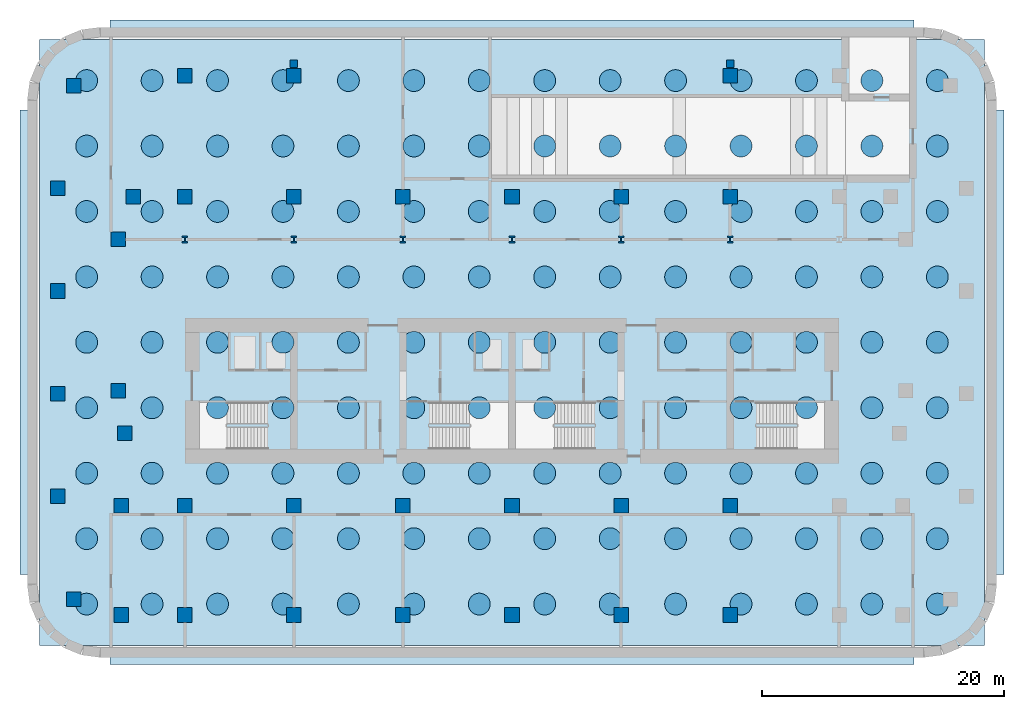
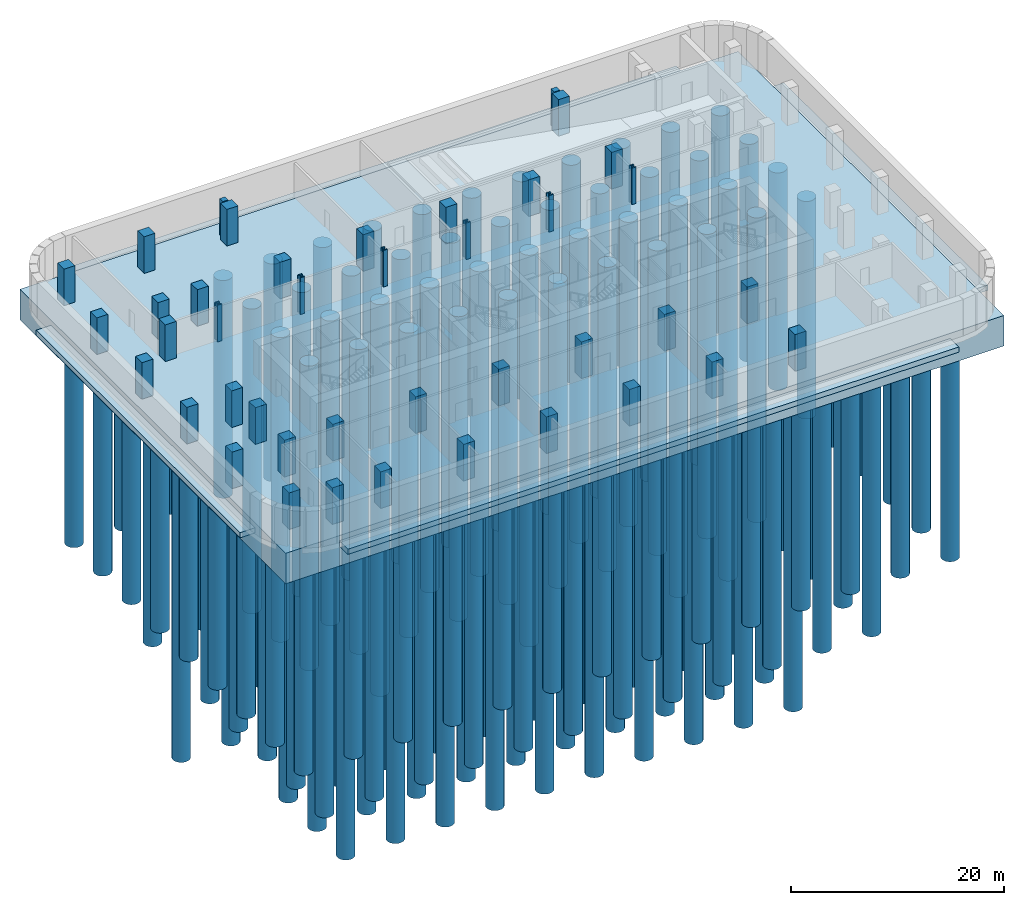
# One storey, part 1 of 8: 126 piles, 41 columns, 5 footings.
"""IFC4 building model written with IfcOpenShell, lengths in metres."""

from ifc_helpers import new_model, si_unit, direction, frame, origin, origin_2d, place, context, subcontext, project, spatial, rectangle, circle, i_section, extrude, material, layer, layer_set, material_profile, profile_set, type_object, element, save


model = new_model("IFC4")

# Units and contexts
model_context = context("Model", 3, precision=1e-05, world=origin(), true_north=direction((0.0, 1.0)))
body_context = subcontext(model_context, "Body", "Model", "MODEL_VIEW")
ifc_project = project(units=[si_unit("LENGTHUNIT", "METRE"), si_unit("AREAUNIT", "SQUARE_METRE"), si_unit("VOLUMEUNIT", "CUBIC_METRE"), si_unit("PLANEANGLEUNIT", "RADIAN"), si_unit("MASSUNIT", "GRAM", prefix="KILO")], contexts=[model_context])

# Site, building, storey
site_placement = place(None, origin())
site = spatial("IfcSite", under=ifc_project, at=site_placement, CompositionType="ELEMENT")
building_placement = place(site_placement, origin())
building = spatial("IfcBuilding", under=site, at=building_placement, Name="Zellij Exchange Tower", CompositionType="ELEMENT")
storey_placement = place(building_placement, frame((0.0, 0.0, -12.60009765625)))
storey = spatial("IfcBuildingStorey", under=building, at=storey_placement, Name="B3", CompositionType="ELEMENT", Elevation=-12.60009765625)

# Piles
ifc_material_1 = material(Name="Concrete C40/50", Category="concrete")
ifc_material_profile_1 = material_profile(ifc_material_1, circle(Radius=0.89990234375, at=origin_2d()), Name="STR-PILE D1800 BORED")
ifc_profile_set_1 = profile_set([ifc_material_profile_1], Name="Concrete C40/50")
pile_type = type_object("IfcPileType", Name="STR-PILE D1800 BORED", PredefinedType="BORED", material=ifc_profile_set_1)
for number, where, z_axis, x_axis, name in (
    (1, (-35.10009765625, -25.60009765625, -3.349853515625), (0.0, 0.0, -1.0), (1.0, 0.0, 0.0), "Pile P001"),
    (2, (-29.699951171875, -25.60009765625, -3.349853515625), (0.0, 0.0, -1.0), (1.0, 0.0, 0.0), "Pile P002"),
    (3, (-24.300048828125, -25.60009765625, -3.349853515625), (0.0, 0.0, -1.0), (1.0, 0.0, 0.0), "Pile P003"),
    (4, (-18.89990234375, -25.60009765625, -3.349853515625), (0.0, 0.0, -1.0), (1.0, 0.0, 0.0), "Pile P004"),
    (5, (-13.5, -25.60009765625, -3.349853515625), (0.0, 0.0, -1.0), (1.0, 0.0, 0.0), "Pile P005"),
    (6, (-8.10009765625, -25.60009765625, -3.349853515625), (0.0, 0.0, -1.0), (1.0, 0.0, 0.0), "Pile P006"),
    (7, (-2.699951171875, -25.60009765625, -3.349853515625), (0.0, 0.0, -1.0), (1.0, 0.0, 0.0), "Pile P007"),
    (8, (2.699951171875, -25.60009765625, -3.349853515625), (0.0, 0.0, -1.0), (1.0, 0.0, 0.0), "Pile P008"),
    (9, (8.10009765625, -25.60009765625, -3.349853515625), (0.0, 0.0, -1.0), (1.0, 0.0, 0.0), "Pile P009"),
    (10, (13.5, -25.60009765625, -3.349853515625), (0.0, 0.0, -1.0), (1.0, 0.0, 0.0), "Pile P010"),
    (11, (18.89990234375, -25.60009765625, -3.349853515625), (0.0, 0.0, -1.0), (1.0, 0.0, 0.0), "Pile P011"),
    (12, (24.300048828125, -25.60009765625, -3.349853515625), (0.0, 0.0, -1.0), (1.0, 0.0, 0.0), "Pile P012"),
    (13, (29.699951171875, -25.60009765625, -3.349853515625), (0.0, 0.0, -1.0), (1.0, 0.0, 0.0), "Pile P013"),
    (14, (35.10009765625, -25.60009765625, -3.349853515625), (0.0, 0.0, -1.0), (1.0, 0.0, 0.0), "Pile P014"),
    (15, (-35.10009765625, -20.199951171875, -3.349853515625), (0.0, 0.0, -1.0), (1.0, 0.0, 0.0), "Pile P015"),
):
    element("IfcPile", number, at=place(storey_placement, frame(where, z_axis=z_axis, x_axis=x_axis)), inside=storey, type_object=pile_type, Name=name, PredefinedType="BORED", context=body_context, shape_type="SweptSolid", body=[
        extrude(circle(Radius=0.89990234375, at=origin_2d()), origin(), (0.0, 0.0, 1.0), 25.0),
    ])
for number, where, z_axis, x_axis, name in (
    (16, (-29.699951171875, -20.199951171875, -3.349853515625), (0.0, 0.0, -1.0), (1.0, 0.0, 0.0), "Pile P016"),
    (17, (-24.300048828125, -20.199951171875, -3.349853515625), (0.0, 0.0, -1.0), (1.0, 0.0, 0.0), "Pile P017"),
    (18, (-18.89990234375, -20.199951171875, -3.349853515625), (0.0, 0.0, -1.0), (1.0, 0.0, 0.0), "Pile P018"),
    (19, (-13.5, -20.199951171875, -3.349853515625), (0.0, 0.0, -1.0), (1.0, 0.0, 0.0), "Pile P019"),
    (20, (-8.10009765625, -20.199951171875, -3.349853515625), (0.0, 0.0, -1.0), (1.0, 0.0, 0.0), "Pile P020"),
    (21, (-2.699951171875, -20.199951171875, -3.349853515625), (0.0, 0.0, -1.0), (1.0, 0.0, 0.0), "Pile P021"),
    (22, (2.699951171875, -20.199951171875, -3.349853515625), (0.0, 0.0, -1.0), (1.0, 0.0, 0.0), "Pile P022"),
    (23, (8.10009765625, -20.199951171875, -3.349853515625), (0.0, 0.0, -1.0), (1.0, 0.0, 0.0), "Pile P023"),
    (24, (13.5, -20.199951171875, -3.349853515625), (0.0, 0.0, -1.0), (1.0, 0.0, 0.0), "Pile P024"),
    (25, (18.89990234375, -20.199951171875, -3.349853515625), (0.0, 0.0, -1.0), (1.0, 0.0, 0.0), "Pile P025"),
    (26, (24.300048828125, -20.199951171875, -3.349853515625), (0.0, 0.0, -1.0), (1.0, 0.0, 0.0), "Pile P026"),
    (27, (29.699951171875, -20.199951171875, -3.349853515625), (0.0, 0.0, -1.0), (1.0, 0.0, 0.0), "Pile P027"),
):
    element("IfcPile", number, at=place(storey_placement, frame(where, z_axis=z_axis, x_axis=x_axis)), inside=storey, type_object=pile_type, Name=name, PredefinedType="BORED", context=body_context, shape_type="SweptSolid", body=[
        extrude(circle(Radius=0.89990234375, at=origin_2d()), origin(), (0.0, 0.0, 1.0), 35.0),
    ])
for number, where, z_axis, x_axis, name in (
    (28, (35.10009765625, -20.199951171875, -3.349853515625), (0.0, 0.0, -1.0), (1.0, 0.0, 0.0), "Pile P028"),
    (29, (-35.10009765625, -14.800048828125, -3.349853515625), (0.0, 0.0, -1.0), (1.0, 0.0, 0.0), "Pile P029"),
):
    element("IfcPile", number, at=place(storey_placement, frame(where, z_axis=z_axis, x_axis=x_axis)), inside=storey, type_object=pile_type, Name=name, PredefinedType="BORED", context=body_context, shape_type="SweptSolid", body=[
        extrude(circle(Radius=0.89990234375, at=origin_2d()), origin(), (0.0, 0.0, 1.0), 25.0),
    ])
pile_1_placement = place(storey_placement, frame((-29.699951171875, -14.800048828125, -3.349853515625), z_axis=(0.0, 0.0, -1.0), x_axis=(1.0, 0.0, 0.0)))
element("IfcPile", 30, at=pile_1_placement, inside=storey, type_object=pile_type, Name="Pile P030", PredefinedType="BORED", context=body_context, shape_type="SweptSolid", body=[
    extrude(circle(Radius=0.89990234375, at=origin_2d()), origin(), (0.0, 0.0, 1.0), 35.0),
])
for number, where, z_axis, x_axis, name in (
    (31, (-24.300048828125, -14.800048828125, -3.349853515625), (0.0, 0.0, -1.0), (1.0, 0.0, 0.0), "Pile P031"),
    (32, (-18.89990234375, -14.800048828125, -3.349853515625), (0.0, 0.0, -1.0), (1.0, 0.0, 0.0), "Pile P032"),
    (33, (-13.5, -14.800048828125, -3.349853515625), (0.0, 0.0, -1.0), (1.0, 0.0, 0.0), "Pile P033"),
    (34, (-8.10009765625, -14.800048828125, -3.349853515625), (0.0, 0.0, -1.0), (1.0, 0.0, 0.0), "Pile P034"),
    (35, (-2.699951171875, -14.800048828125, -3.349853515625), (0.0, 0.0, -1.0), (1.0, 0.0, 0.0), "Pile P035"),
    (36, (2.699951171875, -14.800048828125, -3.349853515625), (0.0, 0.0, -1.0), (1.0, 0.0, 0.0), "Pile P036"),
    (37, (8.10009765625, -14.800048828125, -3.349853515625), (0.0, 0.0, -1.0), (1.0, 0.0, 0.0), "Pile P037"),
    (38, (13.5, -14.800048828125, -3.349853515625), (0.0, 0.0, -1.0), (1.0, 0.0, 0.0), "Pile P038"),
    (39, (18.89990234375, -14.800048828125, -3.349853515625), (0.0, 0.0, -1.0), (1.0, 0.0, 0.0), "Pile P039"),
    (40, (24.300048828125, -14.800048828125, -3.349853515625), (0.0, 0.0, -1.0), (1.0, 0.0, 0.0), "Pile P040"),
):
    element("IfcPile", number, at=place(storey_placement, frame(where, z_axis=z_axis, x_axis=x_axis)), inside=storey, type_object=pile_type, Name=name, PredefinedType="BORED", context=body_context, shape_type="SweptSolid", body=[
        extrude(circle(Radius=0.89990234375, at=origin_2d()), origin(), (0.0, 0.0, 1.0), 45.0),
    ])
pile_2_placement = place(storey_placement, frame((29.699951171875, -14.800048828125, -3.349853515625), z_axis=(0.0, 0.0, -1.0), x_axis=(1.0, 0.0, 0.0)))
element("IfcPile", 41, at=pile_2_placement, inside=storey, type_object=pile_type, Name="Pile P041", PredefinedType="BORED", context=body_context, shape_type="SweptSolid", body=[
    extrude(circle(Radius=0.89990234375, at=origin_2d()), origin(), (0.0, 0.0, 1.0), 35.0),
])
for number, where, z_axis, x_axis, name in (
    (42, (35.10009765625, -14.800048828125, -3.349853515625), (0.0, 0.0, -1.0), (1.0, 0.0, 0.0), "Pile P042"),
    (43, (-35.10009765625, -9.39990234375, -3.349853515625), (0.0, 0.0, -1.0), (1.0, 0.0, 0.0), "Pile P043"),
):
    element("IfcPile", number, at=place(storey_placement, frame(where, z_axis=z_axis, x_axis=x_axis)), inside=storey, type_object=pile_type, Name=name, PredefinedType="BORED", context=body_context, shape_type="SweptSolid", body=[
        extrude(circle(Radius=0.89990234375, at=origin_2d()), origin(), (0.0, 0.0, 1.0), 25.0),
    ])
pile_3_placement = place(storey_placement, frame((-29.699951171875, -9.39990234375, -3.349853515625), z_axis=(0.0, 0.0, -1.0), x_axis=(1.0, 0.0, 0.0)))
element("IfcPile", 44, at=pile_3_placement, inside=storey, type_object=pile_type, Name="Pile P044", PredefinedType="BORED", context=body_context, shape_type="SweptSolid", body=[
    extrude(circle(Radius=0.89990234375, at=origin_2d()), origin(), (0.0, 0.0, 1.0), 35.0),
])
for number, where, z_axis, x_axis, name in (
    (45, (-24.300048828125, -9.39990234375, -3.349853515625), (0.0, 0.0, -1.0), (1.0, 0.0, 0.0), "Pile P045"),
    (46, (-18.89990234375, -9.39990234375, -3.349853515625), (0.0, 0.0, -1.0), (1.0, 0.0, 0.0), "Pile P046"),
    (47, (-13.5, -9.39990234375, -3.349853515625), (0.0, 0.0, -1.0), (1.0, 0.0, 0.0), "Pile P047"),
    (48, (-8.10009765625, -9.39990234375, -3.349853515625), (0.0, 0.0, -1.0), (1.0, 0.0, 0.0), "Pile P048"),
    (49, (-2.699951171875, -9.39990234375, -3.349853515625), (0.0, 0.0, -1.0), (1.0, 0.0, 0.0), "Pile P049"),
    (50, (2.699951171875, -9.39990234375, -3.349853515625), (0.0, 0.0, -1.0), (1.0, 0.0, 0.0), "Pile P050"),
    (51, (8.10009765625, -9.39990234375, -3.349853515625), (0.0, 0.0, -1.0), (1.0, 0.0, 0.0), "Pile P051"),
    (52, (13.5, -9.39990234375, -3.349853515625), (0.0, 0.0, -1.0), (1.0, 0.0, 0.0), "Pile P052"),
    (53, (18.89990234375, -9.39990234375, -3.349853515625), (0.0, 0.0, -1.0), (1.0, 0.0, 0.0), "Pile P053"),
    (54, (24.300048828125, -9.39990234375, -3.349853515625), (0.0, 0.0, -1.0), (1.0, 0.0, 0.0), "Pile P054"),
):
    element("IfcPile", number, at=place(storey_placement, frame(where, z_axis=z_axis, x_axis=x_axis)), inside=storey, type_object=pile_type, Name=name, PredefinedType="BORED", context=body_context, shape_type="SweptSolid", body=[
        extrude(circle(Radius=0.89990234375, at=origin_2d()), origin(), (0.0, 0.0, 1.0), 45.0),
    ])
pile_4_placement = place(storey_placement, frame((29.699951171875, -9.39990234375, -3.349853515625), z_axis=(0.0, 0.0, -1.0), x_axis=(1.0, 0.0, 0.0)))
element("IfcPile", 55, at=pile_4_placement, inside=storey, type_object=pile_type, Name="Pile P055", PredefinedType="BORED", context=body_context, shape_type="SweptSolid", body=[
    extrude(circle(Radius=0.89990234375, at=origin_2d()), origin(), (0.0, 0.0, 1.0), 35.0),
])
for number, where, z_axis, x_axis, name in (
    (56, (35.10009765625, -9.39990234375, -3.349853515625), (0.0, 0.0, -1.0), (1.0, 0.0, 0.0), "Pile P056"),
    (57, (-35.10009765625, -4.0, -3.349853515625), (0.0, 0.0, -1.0), (1.0, 0.0, 0.0), "Pile P057"),
):
    element("IfcPile", number, at=place(storey_placement, frame(where, z_axis=z_axis, x_axis=x_axis)), inside=storey, type_object=pile_type, Name=name, PredefinedType="BORED", context=body_context, shape_type="SweptSolid", body=[
        extrude(circle(Radius=0.89990234375, at=origin_2d()), origin(), (0.0, 0.0, 1.0), 25.0),
    ])
pile_5_placement = place(storey_placement, frame((-29.699951171875, -4.0, -3.349853515625), z_axis=(0.0, 0.0, -1.0), x_axis=(1.0, 0.0, 0.0)))
element("IfcPile", 58, at=pile_5_placement, inside=storey, type_object=pile_type, Name="Pile P058", PredefinedType="BORED", context=body_context, shape_type="SweptSolid", body=[
    extrude(circle(Radius=0.89990234375, at=origin_2d()), origin(), (0.0, 0.0, 1.0), 35.0),
])
for number, where, z_axis, x_axis, name in (
    (59, (-24.300048828125, -4.0, -3.349853515625), (0.0, 0.0, -1.0), (1.0, 0.0, 0.0), "Pile P059"),
    (60, (-18.89990234375, -4.0, -3.349853515625), (0.0, 0.0, -1.0), (1.0, 0.0, 0.0), "Pile P060"),
    (61, (-13.5, -4.0, -3.349853515625), (0.0, 0.0, -1.0), (1.0, 0.0, 0.0), "Pile P061"),
    (62, (-8.10009765625, -4.0, -3.349853515625), (0.0, 0.0, -1.0), (1.0, 0.0, 0.0), "Pile P062"),
    (63, (-2.699951171875, -4.0, -3.349853515625), (0.0, 0.0, -1.0), (1.0, 0.0, 0.0), "Pile P063"),
    (64, (2.699951171875, -4.0, -3.349853515625), (0.0, 0.0, -1.0), (1.0, 0.0, 0.0), "Pile P064"),
    (65, (8.10009765625, -4.0, -3.349853515625), (0.0, 0.0, -1.0), (1.0, 0.0, 0.0), "Pile P065"),
    (66, (13.5, -4.0, -3.349853515625), (0.0, 0.0, -1.0), (1.0, 0.0, 0.0), "Pile P066"),
    (67, (18.89990234375, -4.0, -3.349853515625), (0.0, 0.0, -1.0), (1.0, 0.0, 0.0), "Pile P067"),
    (68, (24.300048828125, -4.0, -3.349853515625), (0.0, 0.0, -1.0), (1.0, 0.0, 0.0), "Pile P068"),
):
    element("IfcPile", number, at=place(storey_placement, frame(where, z_axis=z_axis, x_axis=x_axis)), inside=storey, type_object=pile_type, Name=name, PredefinedType="BORED", context=body_context, shape_type="SweptSolid", body=[
        extrude(circle(Radius=0.89990234375, at=origin_2d()), origin(), (0.0, 0.0, 1.0), 45.0),
    ])
pile_6_placement = place(storey_placement, frame((29.699951171875, -4.0, -3.349853515625), z_axis=(0.0, 0.0, -1.0), x_axis=(1.0, 0.0, 0.0)))
element("IfcPile", 69, at=pile_6_placement, inside=storey, type_object=pile_type, Name="Pile P069", PredefinedType="BORED", context=body_context, shape_type="SweptSolid", body=[
    extrude(circle(Radius=0.89990234375, at=origin_2d()), origin(), (0.0, 0.0, 1.0), 35.0),
])
for number, where, z_axis, x_axis, name in (
    (70, (35.10009765625, -4.0, -3.349853515625), (0.0, 0.0, -1.0), (1.0, 0.0, 0.0), "Pile P070"),
    (71, (-35.10009765625, 1.39990234375, -3.349853515625), (0.0, 0.0, -1.0), (1.0, 0.0, 0.0), "Pile P071"),
):
    element("IfcPile", number, at=place(storey_placement, frame(where, z_axis=z_axis, x_axis=x_axis)), inside=storey, type_object=pile_type, Name=name, PredefinedType="BORED", context=body_context, shape_type="SweptSolid", body=[
        extrude(circle(Radius=0.89990234375, at=origin_2d()), origin(), (0.0, 0.0, 1.0), 25.0),
    ])
for number, where, z_axis, x_axis, name in (
    (72, (-29.699951171875, 1.39990234375, -3.349853515625), (0.0, 0.0, -1.0), (1.0, 0.0, 0.0), "Pile P072"),
    (73, (-24.300048828125, 1.39990234375, -3.349853515625), (0.0, 0.0, -1.0), (1.0, 0.0, 0.0), "Pile P073"),
    (74, (-18.89990234375, 1.39990234375, -3.349853515625), (0.0, 0.0, -1.0), (1.0, 0.0, 0.0), "Pile P074"),
    (75, (-13.5, 1.39990234375, -3.349853515625), (0.0, 0.0, -1.0), (1.0, 0.0, 0.0), "Pile P075"),
    (76, (-8.10009765625, 1.39990234375, -3.349853515625), (0.0, 0.0, -1.0), (1.0, 0.0, 0.0), "Pile P076"),
    (77, (-2.699951171875, 1.39990234375, -3.349853515625), (0.0, 0.0, -1.0), (1.0, 0.0, 0.0), "Pile P077"),
    (78, (2.699951171875, 1.39990234375, -3.349853515625), (0.0, 0.0, -1.0), (1.0, 0.0, 0.0), "Pile P078"),
    (79, (8.10009765625, 1.39990234375, -3.349853515625), (0.0, 0.0, -1.0), (1.0, 0.0, 0.0), "Pile P079"),
    (80, (13.5, 1.39990234375, -3.349853515625), (0.0, 0.0, -1.0), (1.0, 0.0, 0.0), "Pile P080"),
    (81, (18.89990234375, 1.39990234375, -3.349853515625), (0.0, 0.0, -1.0), (1.0, 0.0, 0.0), "Pile P081"),
    (82, (24.300048828125, 1.39990234375, -3.349853515625), (0.0, 0.0, -1.0), (1.0, 0.0, 0.0), "Pile P082"),
    (83, (29.699951171875, 1.39990234375, -3.349853515625), (0.0, 0.0, -1.0), (1.0, 0.0, 0.0), "Pile P083"),
):
    element("IfcPile", number, at=place(storey_placement, frame(where, z_axis=z_axis, x_axis=x_axis)), inside=storey, type_object=pile_type, Name=name, PredefinedType="BORED", context=body_context, shape_type="SweptSolid", body=[
        extrude(circle(Radius=0.89990234375, at=origin_2d()), origin(), (0.0, 0.0, 1.0), 35.0),
    ])
for number, where, z_axis, x_axis, name in (
    (84, (35.10009765625, 1.39990234375, -3.349853515625), (0.0, 0.0, -1.0), (1.0, 0.0, 0.0), "Pile P084"),
    (85, (-35.10009765625, 6.800048828125, -3.349853515625), (0.0, 0.0, -1.0), (1.0, 0.0, 0.0), "Pile P085"),
):
    element("IfcPile", number, at=place(storey_placement, frame(where, z_axis=z_axis, x_axis=x_axis)), inside=storey, type_object=pile_type, Name=name, PredefinedType="BORED", context=body_context, shape_type="SweptSolid", body=[
        extrude(circle(Radius=0.89990234375, at=origin_2d()), origin(), (0.0, 0.0, 1.0), 25.0),
    ])
for number, where, z_axis, x_axis, name in (
    (86, (-29.699951171875, 6.800048828125, -3.349853515625), (0.0, 0.0, -1.0), (1.0, 0.0, 0.0), "Pile P086"),
    (87, (-24.300048828125, 6.800048828125, -3.349853515625), (0.0, 0.0, -1.0), (1.0, 0.0, 0.0), "Pile P087"),
):
    element("IfcPile", number, at=place(storey_placement, frame(where, z_axis=z_axis, x_axis=x_axis)), inside=storey, type_object=pile_type, Name=name, PredefinedType="BORED", context=body_context, shape_type="SweptSolid", body=[
        extrude(circle(Radius=0.89990234375, at=origin_2d()), origin(), (0.0, 0.0, 1.0), 45.0),
    ])
for number, where, z_axis, x_axis, name in (
    (88, (-18.89990234375, 6.800048828125, -3.349853515625), (0.0, 0.0, -1.0), (1.0, 0.0, 0.0), "Pile P088"),
    (89, (-13.5, 6.800048828125, -3.349853515625), (0.0, 0.0, -1.0), (1.0, 0.0, 0.0), "Pile P089"),
):
    element("IfcPile", number, at=place(storey_placement, frame(where, z_axis=z_axis, x_axis=x_axis)), inside=storey, type_object=pile_type, Name=name, PredefinedType="BORED", context=body_context, shape_type="SweptSolid", body=[
        extrude(circle(Radius=0.89990234375, at=origin_2d()), origin(), (0.0, 0.0, 1.0), 35.0),
    ])
pile_7_placement = place(storey_placement, frame((-8.10009765625, 6.800048828125, -3.349853515625), z_axis=(0.0, 0.0, -1.0), x_axis=(1.0, 0.0, 0.0)))
element("IfcPile", 90, at=pile_7_placement, inside=storey, type_object=pile_type, Name="Pile P090", PredefinedType="BORED", context=body_context, shape_type="SweptSolid", body=[
    extrude(circle(Radius=0.89990234375, at=origin_2d()), origin(), (0.0, 0.0, 1.0), 45.0),
])
for number, where, z_axis, x_axis, name in (
    (91, (-2.699951171875, 6.800048828125, -3.349853515625), (0.0, 0.0, -1.0), (1.0, 0.0, 0.0), "Pile P091"),
    (92, (2.699951171875, 6.800048828125, -3.349853515625), (0.0, 0.0, -1.0), (1.0, 0.0, 0.0), "Pile P092"),
):
    element("IfcPile", number, at=place(storey_placement, frame(where, z_axis=z_axis, x_axis=x_axis)), inside=storey, type_object=pile_type, Name=name, PredefinedType="BORED", context=body_context, shape_type="SweptSolid", body=[
        extrude(circle(Radius=0.89990234375, at=origin_2d()), origin(), (0.0, 0.0, 1.0), 35.0),
    ])
pile_8_placement = place(storey_placement, frame((8.10009765625, 6.800048828125, -3.349853515625), z_axis=(0.0, 0.0, -1.0), x_axis=(1.0, 0.0, 0.0)))
element("IfcPile", 93, at=pile_8_placement, inside=storey, type_object=pile_type, Name="Pile P093", PredefinedType="BORED", context=body_context, shape_type="SweptSolid", body=[
    extrude(circle(Radius=0.89990234375, at=origin_2d()), origin(), (0.0, 0.0, 1.0), 45.0),
])
for number, where, z_axis, x_axis, name in (
    (94, (13.5, 6.800048828125, -3.349853515625), (0.0, 0.0, -1.0), (1.0, 0.0, 0.0), "Pile P094"),
    (95, (18.89990234375, 6.800048828125, -3.349853515625), (0.0, 0.0, -1.0), (1.0, 0.0, 0.0), "Pile P095"),
):
    element("IfcPile", number, at=place(storey_placement, frame(where, z_axis=z_axis, x_axis=x_axis)), inside=storey, type_object=pile_type, Name=name, PredefinedType="BORED", context=body_context, shape_type="SweptSolid", body=[
        extrude(circle(Radius=0.89990234375, at=origin_2d()), origin(), (0.0, 0.0, 1.0), 35.0),
    ])
for number, where, z_axis, x_axis, name in (
    (96, (24.300048828125, 6.800048828125, -3.349853515625), (0.0, 0.0, -1.0), (1.0, 0.0, 0.0), "Pile P096"),
    (97, (29.699951171875, 6.800048828125, -3.349853515625), (0.0, 0.0, -1.0), (1.0, 0.0, 0.0), "Pile P097"),
):
    element("IfcPile", number, at=place(storey_placement, frame(where, z_axis=z_axis, x_axis=x_axis)), inside=storey, type_object=pile_type, Name=name, PredefinedType="BORED", context=body_context, shape_type="SweptSolid", body=[
        extrude(circle(Radius=0.89990234375, at=origin_2d()), origin(), (0.0, 0.0, 1.0), 45.0),
    ])
for number, where, z_axis, x_axis, name in (
    (98, (35.10009765625, 6.800048828125, -3.349853515625), (0.0, 0.0, -1.0), (1.0, 0.0, 0.0), "Pile P098"),
    (99, (-35.10009765625, 12.199951171875, -3.349853515625), (0.0, 0.0, -1.0), (1.0, 0.0, 0.0), "Pile P099"),
):
    element("IfcPile", number, at=place(storey_placement, frame(where, z_axis=z_axis, x_axis=x_axis)), inside=storey, type_object=pile_type, Name=name, PredefinedType="BORED", context=body_context, shape_type="SweptSolid", body=[
        extrude(circle(Radius=0.89990234375, at=origin_2d()), origin(), (0.0, 0.0, 1.0), 25.0),
    ])
for number, where, z_axis, x_axis, name in (
    (100, (-29.699951171875, 12.199951171875, -3.349853515625), (0.0, 0.0, -1.0), (1.0, 0.0, 0.0), "Pile P100"),
    (101, (-24.300048828125, 12.199951171875, -3.349853515625), (0.0, 0.0, -1.0), (1.0, 0.0, 0.0), "Pile P101"),
    (102, (-18.89990234375, 12.199951171875, -3.349853515625), (0.0, 0.0, -1.0), (1.0, 0.0, 0.0), "Pile P102"),
    (103, (-13.5, 12.199951171875, -3.349853515625), (0.0, 0.0, -1.0), (1.0, 0.0, 0.0), "Pile P103"),
    (104, (-8.10009765625, 12.199951171875, -3.349853515625), (0.0, 0.0, -1.0), (1.0, 0.0, 0.0), "Pile P104"),
    (105, (-2.699951171875, 12.199951171875, -3.349853515625), (0.0, 0.0, -1.0), (1.0, 0.0, 0.0), "Pile P105"),
    (106, (2.699951171875, 12.199951171875, -3.349853515625), (0.0, 0.0, -1.0), (1.0, 0.0, 0.0), "Pile P106"),
    (107, (8.10009765625, 12.199951171875, -3.349853515625), (0.0, 0.0, -1.0), (1.0, 0.0, 0.0), "Pile P107"),
    (108, (13.5, 12.199951171875, -3.349853515625), (0.0, 0.0, -1.0), (1.0, 0.0, 0.0), "Pile P108"),
    (109, (18.89990234375, 12.199951171875, -3.349853515625), (0.0, 0.0, -1.0), (1.0, 0.0, 0.0), "Pile P109"),
    (110, (24.300048828125, 12.199951171875, -3.349853515625), (0.0, 0.0, -1.0), (1.0, 0.0, 0.0), "Pile P110"),
    (111, (29.699951171875, 12.199951171875, -3.349853515625), (0.0, 0.0, -1.0), (1.0, 0.0, 0.0), "Pile P111"),
):
    element("IfcPile", number, at=place(storey_placement, frame(where, z_axis=z_axis, x_axis=x_axis)), inside=storey, type_object=pile_type, Name=name, PredefinedType="BORED", context=body_context, shape_type="SweptSolid", body=[
        extrude(circle(Radius=0.89990234375, at=origin_2d()), origin(), (0.0, 0.0, 1.0), 35.0),
    ])
for number, where, z_axis, x_axis, name in (
    (112, (35.10009765625, 12.199951171875, -3.349853515625), (0.0, 0.0, -1.0), (1.0, 0.0, 0.0), "Pile P112"),
    (113, (-35.10009765625, 17.60009765625, -3.349853515625), (0.0, 0.0, -1.0), (1.0, 0.0, 0.0), "Pile P113"),
    (114, (-29.699951171875, 17.60009765625, -3.349853515625), (0.0, 0.0, -1.0), (1.0, 0.0, 0.0), "Pile P114"),
    (115, (-24.300048828125, 17.60009765625, -3.349853515625), (0.0, 0.0, -1.0), (1.0, 0.0, 0.0), "Pile P115"),
    (116, (-18.89990234375, 17.60009765625, -3.349853515625), (0.0, 0.0, -1.0), (1.0, 0.0, 0.0), "Pile P116"),
    (117, (-13.5, 17.60009765625, -3.349853515625), (0.0, 0.0, -1.0), (1.0, 0.0, 0.0), "Pile P117"),
    (118, (-8.10009765625, 17.60009765625, -3.349853515625), (0.0, 0.0, -1.0), (1.0, 0.0, 0.0), "Pile P118"),
    (119, (-2.699951171875, 17.60009765625, -3.349853515625), (0.0, 0.0, -1.0), (1.0, 0.0, 0.0), "Pile P119"),
    (120, (2.699951171875, 17.60009765625, -3.349853515625), (0.0, 0.0, -1.0), (1.0, 0.0, 0.0), "Pile P120"),
    (121, (8.10009765625, 17.60009765625, -3.349853515625), (0.0, 0.0, -1.0), (1.0, 0.0, 0.0), "Pile P121"),
    (122, (13.5, 17.60009765625, -3.349853515625), (0.0, 0.0, -1.0), (1.0, 0.0, 0.0), "Pile P122"),
    (123, (18.89990234375, 17.60009765625, -3.349853515625), (0.0, 0.0, -1.0), (1.0, 0.0, 0.0), "Pile P123"),
    (124, (24.300048828125, 17.60009765625, -3.349853515625), (0.0, 0.0, -1.0), (1.0, 0.0, 0.0), "Pile P124"),
    (125, (29.699951171875, 17.60009765625, -3.349853515625), (0.0, 0.0, -1.0), (1.0, 0.0, 0.0), "Pile P125"),
    (126, (35.10009765625, 17.60009765625, -3.349853515625), (0.0, 0.0, -1.0), (1.0, 0.0, 0.0), "Pile P126"),
):
    element("IfcPile", number, at=place(storey_placement, frame(where, z_axis=z_axis, x_axis=x_axis)), inside=storey, type_object=pile_type, Name=name, PredefinedType="BORED", context=body_context, shape_type="SweptSolid", body=[
        extrude(circle(Radius=0.89990234375, at=origin_2d()), origin(), (0.0, 0.0, 1.0), 25.0),
    ])

# Footings
ifc_material_2 = material(Name="Concrete C50/60", Category="concrete")
ifc_layer_1 = layer(ifc_material_2, 3.5)
ifc_layer_set_1 = layer_set([ifc_layer_1], Name="Concrete C50/60")
footing_type_1 = type_object("IfcFootingType", Name="STR-RAFT C50/60", PredefinedType="PAD_FOOTING", material=ifc_layer_set_1)
footing_1_placement = place(storey_placement, frame((0.0, -4.0, -3.5), z_axis=(0.0, 0.0, 1.0), x_axis=(1.0, 0.0, 0.0)))
element("IfcFooting", 127, at=footing_1_placement, inside=storey, type_object=footing_type_1, Name="Raft", PredefinedType="PAD_FOOTING", context=body_context, shape_type="SweptSolid", body=[
    extrude(rectangle(XDim=78.0, YDim=50.0, at=origin_2d()), origin(), (0.0, 0.0, 1.0), 3.5),
])
ifc_layer_2 = layer(ifc_material_1, 0.60009765625)
ifc_layer_set_2 = layer_set([ifc_layer_2], Name="Concrete C40/50")
footing_type_2 = type_object("IfcFootingType", Name="STR-STRIP FOOTING 1600x600 C40/50", PredefinedType="STRIP_FOOTING", material=ifc_layer_set_2)
footing_2_placement = place(storey_placement, frame((0.0, -29.800048828125, -1.199951171875), z_axis=(0.0, 0.0, 1.0), x_axis=(1.0, 0.0, 0.0)))
element("IfcFooting", 128, at=footing_2_placement, inside=storey, type_object=footing_type_2, Name="Strip footing SF3", PredefinedType="STRIP_FOOTING", context=body_context, shape_type="SweptSolid", body=[
    extrude(rectangle(XDim=66.34765625, YDim=1.60009765625, at=origin_2d()), origin(), (0.0, 0.0, 1.0), 0.60009765625),
])
footing_3_placement = place(storey_placement, frame((-39.800048828125, -4.0, -1.199951171875), z_axis=(0.0, 0.0, 1.0), x_axis=(0.0, 1.0, 0.0)))
element("IfcFooting", 129, at=footing_3_placement, inside=storey, type_object=footing_type_2, Name="Strip footing SF3", PredefinedType="STRIP_FOOTING", context=body_context, shape_type="SweptSolid", body=[
    extrude(rectangle(XDim=38.34765625, YDim=1.60009765625, at=origin_2d()), origin(), (0.0, 0.0, 1.0), 0.60009765625),
])
footing_4_placement = place(storey_placement, frame((0.0, 21.800048828125, -1.199951171875), z_axis=(0.0, 0.0, 1.0), x_axis=(1.0, 0.0, 0.0)))
element("IfcFooting", 130, at=footing_4_placement, inside=storey, type_object=footing_type_2, Name="Strip footing SF3", PredefinedType="STRIP_FOOTING", context=body_context, shape_type="SweptSolid", body=[
    extrude(rectangle(XDim=66.34765625, YDim=1.60009765625, at=origin_2d()), origin(), (0.0, 0.0, 1.0), 0.60009765625),
])
footing_5_placement = place(storey_placement, frame((39.800048828125, -4.0, -1.199951171875), z_axis=(0.0, 0.0, 1.0), x_axis=(0.0, 1.0, 0.0)))
element("IfcFooting", 131, at=footing_5_placement, inside=storey, type_object=footing_type_2, Name="Strip footing SF3", PredefinedType="STRIP_FOOTING", context=body_context, shape_type="SweptSolid", body=[
    extrude(rectangle(XDim=38.34765625, YDim=1.60009765625, at=origin_2d()), origin(), (0.0, 0.0, 1.0), 0.60009765625),
])

# Columns
ifc_material_3 = material(Name="Concrete C70/85", Category="concrete")
ifc_material_profile_2 = material_profile(ifc_material_3, rectangle(XDim=1.199951171875, YDim=1.199951171875, at=origin_2d()), Name="STR-COLUMN RC1200x1200 C70/85")
ifc_profile_set_2 = profile_set([ifc_material_profile_2], Name="Concrete C70/85")
column_type_1 = type_object("IfcColumnType", Name="STR-COLUMN RC1200x1200 C70/85", PredefinedType="COLUMN", material=ifc_profile_set_2)
for number, where, z_axis, x_axis, name in (
    (132, (-32.25, -26.5, 0.0), (0.0, 0.0, 1.0), (1.0, 0.0, 0.0), "C12"),
    (133, (-27.0, -26.5, 0.0), (0.0, 0.0, 1.0), (1.0, 0.0, 0.0), "C12"),
    (134, (-18.0, -26.5, 0.0), (0.0, 0.0, 1.0), (1.0, 0.0, 0.0), "C12"),
    (135, (-9.0, -26.5, 0.0), (0.0, 0.0, 1.0), (1.0, 0.0, 0.0), "C12"),
    (136, (0.0, -26.5, 0.0), (0.0, 0.0, 1.0), (1.0, 0.0, 0.0), "C12"),
    (137, (9.0, -26.5, 0.0), (0.0, 0.0, 1.0), (1.0, 0.0, 0.0), "C12"),
    (138, (18.0, -26.5, 0.0), (0.0, 0.0, 1.0), (1.0, 0.0, 0.0), "C12"),
    (139, (-36.181884765625, -25.181884765625, 0.0), (0.0, 0.0, 1.0), (1.0, 0.0, 0.0), "C12"),
    (140, (-32.25, -17.5, 0.0), (0.0, 0.0, 1.0), (1.0, 0.0, 0.0), "C12"),
    (141, (-27.0, -17.5, 0.0), (0.0, 0.0, 1.0), (1.0, 0.0, 0.0), "C12"),
    (142, (-18.0, -17.5, 0.0), (0.0, 0.0, 1.0), (1.0, 0.0, 0.0), "C12"),
    (143, (-9.0, -17.5, 0.0), (0.0, 0.0, 1.0), (1.0, 0.0, 0.0), "C12"),
    (144, (0.0, -17.5, 0.0), (0.0, 0.0, 1.0), (1.0, 0.0, 0.0), "C12"),
    (145, (9.0, -17.5, 0.0), (0.0, 0.0, 1.0), (1.0, 0.0, 0.0), "C12"),
    (146, (18.0, -17.5, 0.0), (0.0, 0.0, 1.0), (1.0, 0.0, 0.0), "C12"),
    (147, (-37.5, -16.709228515625, 0.0), (0.0, 0.0, 1.0), (1.0, 0.0, 0.0), "C12"),
    (148, (-31.949951171875, -11.5, 0.0), (0.0, 0.0, 1.0), (1.0, 0.0, 0.0), "C12"),
    (149, (-37.5, -8.236328125, 0.0), (0.0, 0.0, 1.0), (1.0, 0.0, 0.0), "C12"),
    (150, (-32.5, -8.0, 0.0), (0.0, 0.0, 1.0), (1.0, 0.0, 0.0), "C12"),
    (151, (-37.5, 0.236328125, 0.0), (0.0, 0.0, 1.0), (1.0, 0.0, 0.0), "C12"),
    (152, (-32.5, 4.5, 0.0), (0.0, 0.0, 1.0), (1.0, 0.0, 0.0), "C12"),
    (153, (-31.25, 8.0, 0.0), (0.0, 0.0, 1.0), (1.0, 0.0, 0.0), "C12"),
    (154, (-27.0, 8.0, 0.0), (0.0, 0.0, 1.0), (1.0, 0.0, 0.0), "C12"),
    (155, (-18.0, 8.0, 0.0), (0.0, 0.0, 1.0), (1.0, 0.0, 0.0), "C12"),
    (156, (-9.0, 8.0, 0.0), (0.0, 0.0, 1.0), (1.0, 0.0, 0.0), "C12"),
    (157, (0.0, 8.0, 0.0), (0.0, 0.0, 1.0), (1.0, 0.0, 0.0), "C12"),
    (158, (9.0, 8.0, 0.0), (0.0, 0.0, 1.0), (1.0, 0.0, 0.0), "C12"),
    (159, (18.0, 8.0, 0.0), (0.0, 0.0, 1.0), (1.0, 0.0, 0.0), "C12"),
    (160, (-37.5, 8.709228515625, 0.0), (0.0, 0.0, 1.0), (1.0, 0.0, 0.0), "C12"),
    (161, (-36.181884765625, 17.181884765625, 0.0), (0.0, 0.0, 1.0), (1.0, 0.0, 0.0), "C12"),
    (162, (-27.0, 18.0, 0.0), (0.0, 0.0, 1.0), (1.0, 0.0, 0.0), "C12"),
    (163, (-18.0, 18.0, 0.0), (0.0, 0.0, 1.0), (1.0, 0.0, 0.0), "C12"),
    (164, (18.0, 18.0, 0.0), (0.0, 0.0, 1.0), (1.0, 0.0, 0.0), "C12"),
):
    element("IfcColumn", number, at=place(storey_placement, frame(where, z_axis=z_axis, x_axis=x_axis)), inside=storey, type_object=column_type_1, Name=name, PredefinedType="COLUMN", context=body_context, shape_type="SweptSolid", body=[
        extrude(rectangle(XDim=1.199951171875, YDim=1.199951171875, at=origin_2d()), origin(), (0.0, 0.0, 1.0), 4.2001953125),
    ])
ifc_material_profile_3 = material_profile(ifc_material_3, rectangle(XDim=0.60009765625, YDim=0.60009765625, at=origin_2d()), Name="STR-COLUMN RC600x600 C70/85")
ifc_profile_set_3 = profile_set([ifc_material_profile_3], Name="Concrete C70/85")
column_type_2 = type_object("IfcColumnType", Name="STR-COLUMN RC600x600 C70/85", PredefinedType="COLUMN", material=ifc_profile_set_3)
for number, where, z_axis, x_axis, name in (
    (165, (-18.0, 19.0, 0.0), (0.0, 0.0, 1.0), (1.0, 0.0, 0.0), "C17"),
    (166, (18.0, 19.0, 0.0), (0.0, 0.0, 1.0), (1.0, 0.0, 0.0), "C17"),
):
    element("IfcColumn", number, at=place(storey_placement, frame(where, z_axis=z_axis, x_axis=x_axis)), inside=storey, type_object=column_type_2, Name=name, PredefinedType="COLUMN", context=body_context, shape_type="SweptSolid", body=[
        extrude(rectangle(XDim=0.60009765625, YDim=0.60009765625, at=origin_2d()), origin(), (0.0, 0.0, 1.0), 4.2001953125),
    ])
ifc_material_4 = material(Name="Structural steel ASTM A913 Gr 65", Category="steel")
ifc_material_profile_4 = material_profile(ifc_material_4, i_section(OverallWidth=0.45458984375, OverallDepth=0.56884765625, WebThickness=0.077880859375, FlangeThickness=0.124755859375, at=origin_2d()), Name="W14x730")
ifc_profile_set_4 = profile_set([ifc_material_profile_4], Name="Structural steel ASTM A913 Gr 65")
column_type_3 = type_object("IfcColumnType", Name="STR-COLUMN W14x730", PredefinedType="COLUMN", material=ifc_profile_set_4)
for number, where, z_axis, x_axis, name in (
    (167, (-27.0, 4.5, 0.0), (0.0, 0.0, 1.0), (1.0, 0.0, 0.0), "C7"),
    (168, (-18.0, 4.5, 0.0), (0.0, 0.0, 1.0), (1.0, 0.0, 0.0), "C7"),
    (169, (-9.0, 4.5, 0.0), (0.0, 0.0, 1.0), (1.0, 0.0, 0.0), "C7"),
    (170, (0.0, 4.5, 0.0), (0.0, 0.0, 1.0), (1.0, 0.0, 0.0), "C7"),
    (171, (9.0, 4.5, 0.0), (0.0, 0.0, 1.0), (1.0, 0.0, 0.0), "C7"),
    (172, (18.0, 4.5, 0.0), (0.0, 0.0, 1.0), (1.0, 0.0, 0.0), "C7"),
):
    element("IfcColumn", number, at=place(storey_placement, frame(where, z_axis=z_axis, x_axis=x_axis)), inside=storey, type_object=column_type_3, Name=name, PredefinedType="COLUMN", context=body_context, shape_type="SweptSolid", body=[
        extrude(i_section(OverallWidth=0.45458984375, OverallDepth=0.56884765625, WebThickness=0.077880859375, FlangeThickness=0.124755859375, at=origin_2d()), origin(), (0.0, 0.0, 1.0), 4.2001953125),
    ])

save(model, "model.ifc")
